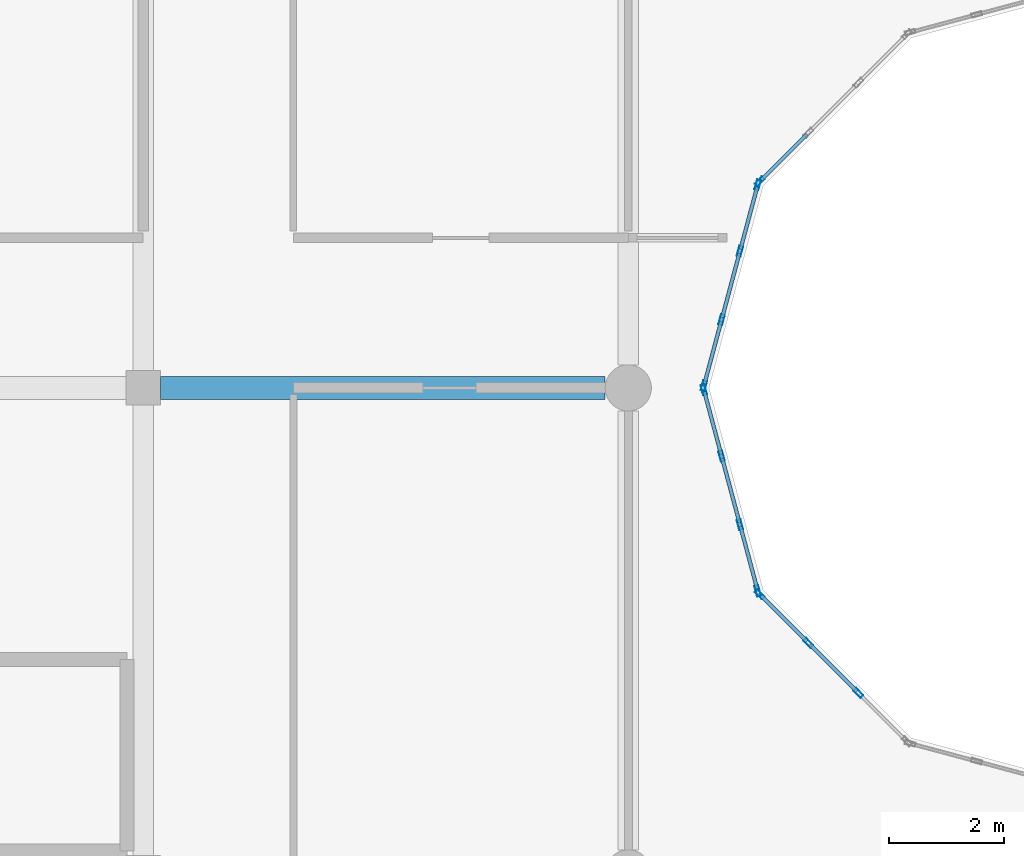
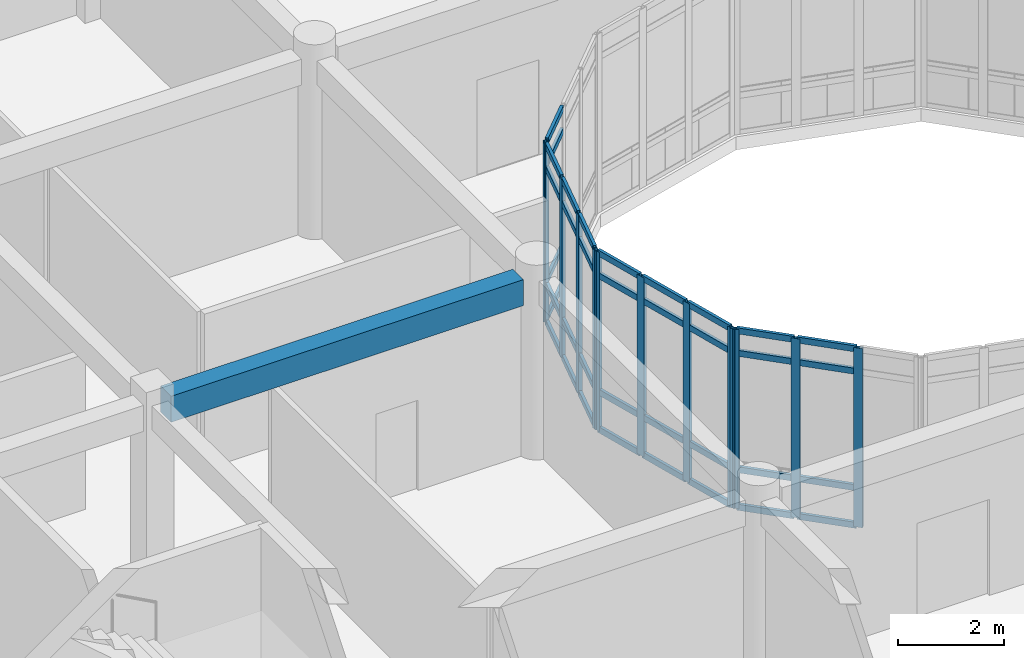
# One storey, part 44 of 144: 48 members, 1 beam, 4 elements without a shape of their own.
"""IFC4 building model written with IfcOpenShell, lengths in metres."""

from ifc_helpers import new_model, si_unit, direction, frame, origin, origin_2d, place, context, subcontext, project, spatial, rectangle, hollow_rectangle, extrude, material, layer, layer_set, material_profile, profile_set, type_object, element, aggregate, save


model = new_model("IFC4")

# Units and contexts
model_context = context("Model", 3, precision=1e-05, world=origin(), true_north=direction((0.0, 1.0)))
body_context = subcontext(model_context, "Body", "Model", "MODEL_VIEW")
ifc_project = project(units=[si_unit("LENGTHUNIT", "METRE"), si_unit("AREAUNIT", "SQUARE_METRE"), si_unit("VOLUMEUNIT", "CUBIC_METRE"), si_unit("PLANEANGLEUNIT", "RADIAN"), si_unit("MASSUNIT", "GRAM", prefix="KILO")], contexts=[model_context])

# Site, building, storey
site_placement = place(None, origin())
site = spatial("IfcSite", under=ifc_project, at=site_placement, CompositionType="ELEMENT")
building_placement = place(site_placement, origin())
building = spatial("IfcBuilding", under=site, at=building_placement, Name="Bramfleet General Hospital", CompositionType="ELEMENT")
storey_placement = place(building_placement, frame((0.0, 0.0, 4.800048828125)))
storey = spatial("IfcBuildingStorey", under=building, at=storey_placement, Name="L01", CompositionType="ELEMENT", Elevation=4.800048828125)

# Beam
ifc_material_1 = material(Name="Concrete C35/45", Category="concrete")
ifc_material_profile_1 = material_profile(ifc_material_1, rectangle(XDim=0.39990234375, YDim=0.60009765625, at=origin_2d()), Name="RC BM 600x400")
ifc_profile_set_1 = profile_set([ifc_material_profile_1], Name="Concrete C35/45")
beam_type = type_object("IfcBeamType", Name="BM-RC600", PredefinedType="BEAM", material=ifc_profile_set_1)
beam_placement = place(storey_placement, frame((67.5, 75.60009765625, 3.849853515625), z_axis=(1.0, 0.0, 0.0), x_axis=(0.0, 1.0, 0.0)))
element("IfcBeam", 1, at=beam_placement, inside=storey, type_object=beam_type, Name="L01 Grid Beam X 08-09", PredefinedType="BEAM", context=body_context, shape_type="SweptSolid", body=[
    extrude(rectangle(XDim=0.39990234375, YDim=0.60009765625, at=origin_2d()), origin(), (0.0, 0.0, 1.0), 7.699951171875),
])

# Curtain wall, members
ifc_material_2 = material(Name="Anodised aluminium and low-E triple glazing", Category="aluminium")
ifc_layer_1 = layer(ifc_material_2, 0.179931640625, Name="CWT-CW-13")
ifc_layer_set_1 = layer_set([ifc_layer_1], Name="Anodised aluminium and low-E triple glazing")
curtain_wall_type_1 = type_object("IfcCurtainWallType", Name="CWT-CW-13", PredefinedType="USERDEFINED", material=ifc_layer_set_1)
curtain_wall_1_placement = place(storey_placement, origin())
curtain_wall_1 = element("IfcCurtainWall", 2, at=curtain_wall_1_placement, inside=storey, type_object=curtain_wall_type_1, Name="L01 Central Diagnostic Light Court Curtain Wall 1.1", ObjectType="Stick curtain wall", PredefinedType="USERDEFINED")
ifc_material_3 = material(Name="Anodised aluminium EN AW-6060", Category="aluminium")
ifc_material_profile_2 = material_profile(ifc_material_3, hollow_rectangle(XDim=0.070068359375, YDim=0.179931640625, WallThickness=0.00390625, at=origin_2d()), Name="ALU 180x70x4.0")
ifc_profile_set_2 = profile_set([ifc_material_profile_2], Name="Anodised aluminium EN AW-6060")
member_type_1 = type_object("IfcMemberType", Name="CWM-ALU180", PredefinedType="MULLION", material=ifc_profile_set_2)
member_1_placement = place(storey_placement, frame((76.908935546875, 75.566162109375, 0.0), z_axis=(0.0, 0.0, 1.0), x_axis=(0.965940765005, 0.258763286618, 0.0)))
member_1 = element("IfcMember", 3, at=member_1_placement, type_object=member_type_1, Name="CW-13 mullion 1", PredefinedType="MULLION", context=body_context, shape_type="SweptSolid", body=[
    extrude(hollow_rectangle(XDim=0.070068359375, YDim=0.179931640625, WallThickness=0.00390625, at=origin_2d()), origin(), (0.0, 0.0, 1.0), 4.139892578125),
])
member_2_placement = place(storey_placement, frame((77.217041015625, 74.416748046875, 0.0), z_axis=(0.0, 0.0, 1.0), x_axis=(0.965940765005, 0.258763286618, 0.0)))
member_2 = element("IfcMember", 4, at=member_2_placement, type_object=member_type_1, Name="CW-13 mullion 2", PredefinedType="MULLION", context=body_context, shape_type="SweptSolid", body=[
    extrude(hollow_rectangle(XDim=0.070068359375, YDim=0.179931640625, WallThickness=0.00390625, at=origin_2d()), origin(), (0.0, 0.0, 1.0), 4.139892578125),
])
member_3_placement = place(storey_placement, frame((77.533935546875, 73.2333984375, 0.0), z_axis=(0.0, 0.0, 1.0), x_axis=(0.965940765005, 0.258763286618, 0.0)))
member_3 = element("IfcMember", 5, at=member_3_placement, type_object=member_type_1, Name="CW-13 mullion 3", PredefinedType="MULLION", context=body_context, shape_type="SweptSolid", body=[
    extrude(hollow_rectangle(XDim=0.070068359375, YDim=0.179931640625, WallThickness=0.00390625, at=origin_2d()), origin(), (0.0, 0.0, 1.0), 4.139892578125),
])
member_4_placement = place(storey_placement, frame((77.842041015625, 72.083740234375, 0.0), z_axis=(0.0, 0.0, 1.0), x_axis=(0.965940765005, 0.258763286618, 0.0)))
member_4 = element("IfcMember", 6, at=member_4_placement, type_object=member_type_1, Name="CW-13 mullion 4", PredefinedType="MULLION", context=body_context, shape_type="SweptSolid", body=[
    extrude(hollow_rectangle(XDim=0.070068359375, YDim=0.179931640625, WallThickness=0.00390625, at=origin_2d()), origin(), (0.0, 0.0, 1.0), 4.139892578125),
])

ifc_layer_2 = layer(ifc_material_2, 0.179931640625, Name="CWT-CW-14")
ifc_layer_set_2 = layer_set([ifc_layer_2], Name="Anodised aluminium and low-E triple glazing")
curtain_wall_type_2 = type_object("IfcCurtainWallType", Name="CWT-CW-14", PredefinedType="USERDEFINED", material=ifc_layer_set_2)
curtain_wall_2_placement = place(storey_placement, origin())
curtain_wall_2 = element("IfcCurtainWall", 7, at=curtain_wall_2_placement, inside=storey, type_object=curtain_wall_type_2, Name="L01 Central Diagnostic Light Court Curtain Wall 2.1", ObjectType="Stick curtain wall", PredefinedType="USERDEFINED")
member_5_placement = place(storey_placement, frame((77.875732421875, 72.025146484375, 0.0), z_axis=(0.0, 0.0, 1.0), x_axis=(0.707106781187, 0.707106781187, 0.0)))
member_5 = element("IfcMember", 8, at=member_5_placement, type_object=member_type_1, Name="CW-14 mullion 1", PredefinedType="MULLION", context=body_context, shape_type="SweptSolid", body=[
    extrude(hollow_rectangle(XDim=0.070068359375, YDim=0.179931640625, WallThickness=0.00390625, at=origin_2d()), origin(), (0.0, 0.0, 1.0), 4.139892578125),
])
member_6_placement = place(storey_placement, frame((78.71728515625, 71.18359375, 0.0), z_axis=(0.0, 0.0, 1.0), x_axis=(0.707106781187, 0.707106781187, 0.0)))
member_6 = element("IfcMember", 9, at=member_6_placement, type_object=member_type_1, Name="CW-14 mullion 2", PredefinedType="MULLION", context=body_context, shape_type="SweptSolid", body=[
    extrude(hollow_rectangle(XDim=0.070068359375, YDim=0.179931640625, WallThickness=0.00390625, at=origin_2d()), origin(), (0.0, 0.0, 1.0), 4.139892578125),
])
member_7_placement = place(storey_placement, frame((79.583740234375, 70.3173828125, 0.0), z_axis=(0.0, 0.0, 1.0), x_axis=(0.707106781187, 0.707106781187, 0.0)))
member_7 = element("IfcMember", 10, at=member_7_placement, type_object=member_type_1, Name="CW-14 mullion 3", PredefinedType="MULLION", context=body_context, shape_type="SweptSolid", body=[
    extrude(hollow_rectangle(XDim=0.070068359375, YDim=0.179931640625, WallThickness=0.00390625, at=origin_2d()), origin(), (0.0, 0.0, 1.0), 4.139892578125),
])

# Curtain wall, member
ifc_layer_3 = layer(ifc_material_2, 0.179931640625, Name="CWT-CW-15")
ifc_layer_set_3 = layer_set([ifc_layer_3], Name="Anodised aluminium and low-E triple glazing")
curtain_wall_type_3 = type_object("IfcCurtainWallType", Name="CWT-CW-15", PredefinedType="USERDEFINED", material=ifc_layer_set_3)
curtain_wall_3_placement = place(storey_placement, origin())
curtain_wall_3 = element("IfcCurtainWall", 11, at=curtain_wall_3_placement, inside=storey, type_object=curtain_wall_type_3, Name="L01 Central Diagnostic Light Court Curtain Wall 11.1", ObjectType="Stick curtain wall", PredefinedType="USERDEFINED")
member_8_placement = place(storey_placement, frame((77.875732421875, 79.1748046875, 0.0), z_axis=(0.0, 0.0, 1.0), x_axis=(0.707106781187, -0.707106781187, 0.0)))
member_8 = element("IfcMember", 12, at=member_8_placement, type_object=member_type_1, Name="CW-15 mullion 4", PredefinedType="MULLION", context=body_context, shape_type="SweptSolid", body=[
    extrude(hollow_rectangle(XDim=0.070068359375, YDim=0.179931640625, WallThickness=0.00390625, at=origin_2d()), origin(), (0.0, 0.0, 1.0), 4.139892578125),
])

# Curtain wall, members
ifc_layer_4 = layer(ifc_material_2, 0.179931640625, Name="CWT-CW-16")
ifc_layer_set_4 = layer_set([ifc_layer_4], Name="Anodised aluminium and low-E triple glazing")
curtain_wall_type_4 = type_object("IfcCurtainWallType", Name="CWT-CW-16", PredefinedType="USERDEFINED", material=ifc_layer_set_4)
curtain_wall_4_placement = place(storey_placement, origin())
curtain_wall_4 = element("IfcCurtainWall", 13, at=curtain_wall_4_placement, inside=storey, type_object=curtain_wall_type_4, Name="L01 Central Diagnostic Light Court Curtain Wall 12.1", ObjectType="Stick curtain wall", PredefinedType="USERDEFINED")
member_9_placement = place(storey_placement, frame((77.842041015625, 79.1162109375, 0.0), z_axis=(0.0, 0.0, 1.0), x_axis=(0.965940765005, -0.258763286618, 0.0)))
member_9 = element("IfcMember", 14, at=member_9_placement, type_object=member_type_1, Name="CW-16 mullion 1", PredefinedType="MULLION", context=body_context, shape_type="SweptSolid", body=[
    extrude(hollow_rectangle(XDim=0.070068359375, YDim=0.179931640625, WallThickness=0.00390625, at=origin_2d()), origin(), (0.0, 0.0, 1.0), 4.139892578125),
])
member_10_placement = place(storey_placement, frame((77.533935546875, 77.966552734375, 0.0), z_axis=(0.0, 0.0, 1.0), x_axis=(0.965940765005, -0.258763286618, 0.0)))
member_10 = element("IfcMember", 15, at=member_10_placement, type_object=member_type_1, Name="CW-16 mullion 2", PredefinedType="MULLION", context=body_context, shape_type="SweptSolid", body=[
    extrude(hollow_rectangle(XDim=0.070068359375, YDim=0.179931640625, WallThickness=0.00390625, at=origin_2d()), origin(), (0.0, 0.0, 1.0), 4.139892578125),
])
member_11_placement = place(storey_placement, frame((77.217041015625, 76.783447265625, 0.0), z_axis=(0.0, 0.0, 1.0), x_axis=(0.965940765005, -0.258763286618, 0.0)))
member_11 = element("IfcMember", 16, at=member_11_placement, type_object=member_type_1, Name="CW-16 mullion 3", PredefinedType="MULLION", context=body_context, shape_type="SweptSolid", body=[
    extrude(hollow_rectangle(XDim=0.070068359375, YDim=0.179931640625, WallThickness=0.00390625, at=origin_2d()), origin(), (0.0, 0.0, 1.0), 4.139892578125),
])
member_12_placement = place(storey_placement, frame((76.908935546875, 75.6337890625, 0.0), z_axis=(0.0, 0.0, 1.0), x_axis=(0.965940765005, -0.258763286618, 0.0)))
member_12 = element("IfcMember", 17, at=member_12_placement, type_object=member_type_1, Name="CW-16 mullion 4", PredefinedType="MULLION", context=body_context, shape_type="SweptSolid", body=[
    extrude(hollow_rectangle(XDim=0.070068359375, YDim=0.179931640625, WallThickness=0.00390625, at=origin_2d()), origin(), (0.0, 0.0, 1.0), 4.139892578125),
])

# Member
ifc_material_profile_3 = material_profile(ifc_material_3, hollow_rectangle(XDim=0.06494140625, YDim=0.139892578125, WallThickness=0.00390625, at=origin_2d()), Name="ALU 140x65x4.0")
ifc_profile_set_3 = profile_set([ifc_material_profile_3], Name="Anodised aluminium EN AW-6060")
member_type_2 = type_object("IfcMemberType", Name="CWT-ALU140", PredefinedType="USERDEFINED", material=ifc_profile_set_3)
member_13_placement = place(storey_placement, frame((76.918212890625, 75.532470703125, 0.032470703125), z_axis=(0.25870703371, -0.965955832691, 0.0), x_axis=(0.965955832691, 0.25870703371, 0.0)))
member_13 = element("IfcMember", 18, at=member_13_placement, type_object=member_type_2, Name="CW-13 transom 1.1", ObjectType="TRANSOM", PredefinedType="USERDEFINED", context=body_context, shape_type="SweptSolid", body=[
    extrude(hollow_rectangle(XDim=0.06494140625, YDim=0.139892578125, WallThickness=0.00390625, at=origin_2d()), origin(), (0.0, 0.0, 1.0), 1.1201171875),
])

member_14_placement = place(storey_placement, frame((76.918212890625, 75.532470703125, 0.89990234375), z_axis=(0.25870703371, -0.965955832691, 0.0), x_axis=(0.965955832691, 0.25870703371, 0.0)))
member_14 = element("IfcMember", 19, at=member_14_placement, type_object=member_type_2, Name="CW-13 transom 1.2", ObjectType="TRANSOM", PredefinedType="USERDEFINED", context=body_context, shape_type="SweptSolid", body=[
    extrude(hollow_rectangle(XDim=0.06494140625, YDim=0.139892578125, WallThickness=0.00390625, at=origin_2d()), origin(), (0.0, 0.0, 1.0), 1.1201171875),
])

member_15_placement = place(storey_placement, frame((76.918212890625, 75.532470703125, 3.58984375), z_axis=(0.25870703371, -0.965955832691, 0.0), x_axis=(0.965955832691, 0.25870703371, 0.0)))
member_15 = element("IfcMember", 20, at=member_15_placement, type_object=member_type_2, Name="CW-13 transom 1.3", ObjectType="TRANSOM", PredefinedType="USERDEFINED", context=body_context, shape_type="SweptSolid", body=[
    extrude(hollow_rectangle(XDim=0.06494140625, YDim=0.139892578125, WallThickness=0.00390625, at=origin_2d()), origin(), (0.0, 0.0, 1.0), 1.1201171875),
])

member_16_placement = place(storey_placement, frame((76.918212890625, 75.532470703125, 4.107421875), z_axis=(0.25870703371, -0.965955832691, 0.0), x_axis=(0.965955832691, 0.25870703371, 0.0)))
member_16 = element("IfcMember", 21, at=member_16_placement, type_object=member_type_2, Name="CW-13 transom 1.4", ObjectType="TRANSOM", PredefinedType="USERDEFINED", context=body_context, shape_type="SweptSolid", body=[
    extrude(hollow_rectangle(XDim=0.06494140625, YDim=0.139892578125, WallThickness=0.00390625, at=origin_2d()), origin(), (0.0, 0.0, 1.0), 1.1201171875),
])

member_17_placement = place(storey_placement, frame((77.22607421875, 74.3828125, 0.032470703125), z_axis=(0.258714954608, -0.965953711242, 0.0), x_axis=(0.965953711242, 0.258714954608, 0.0)))
member_17 = element("IfcMember", 22, at=member_17_placement, type_object=member_type_2, Name="CW-13 transom 2.1", ObjectType="TRANSOM", PredefinedType="USERDEFINED", context=body_context, shape_type="SweptSolid", body=[
    extrude(hollow_rectangle(XDim=0.06494140625, YDim=0.139892578125, WallThickness=0.00390625, at=origin_2d()), origin(), (0.0, 0.0, 1.0), 1.155029296875),
])

member_18_placement = place(storey_placement, frame((77.22607421875, 74.3828125, 0.89990234375), z_axis=(0.258714954608, -0.965953711242, 0.0), x_axis=(0.965953711242, 0.258714954608, 0.0)))
member_18 = element("IfcMember", 23, at=member_18_placement, type_object=member_type_2, Name="CW-13 transom 2.2", ObjectType="TRANSOM", PredefinedType="USERDEFINED", context=body_context, shape_type="SweptSolid", body=[
    extrude(hollow_rectangle(XDim=0.06494140625, YDim=0.139892578125, WallThickness=0.00390625, at=origin_2d()), origin(), (0.0, 0.0, 1.0), 1.155029296875),
])

member_19_placement = place(storey_placement, frame((77.22607421875, 74.3828125, 3.58984375), z_axis=(0.258714954608, -0.965953711242, 0.0), x_axis=(0.965953711242, 0.258714954608, 0.0)))
member_19 = element("IfcMember", 24, at=member_19_placement, type_object=member_type_2, Name="CW-13 transom 2.3", ObjectType="TRANSOM", PredefinedType="USERDEFINED", context=body_context, shape_type="SweptSolid", body=[
    extrude(hollow_rectangle(XDim=0.06494140625, YDim=0.139892578125, WallThickness=0.00390625, at=origin_2d()), origin(), (0.0, 0.0, 1.0), 1.155029296875),
])

member_20_placement = place(storey_placement, frame((77.22607421875, 74.3828125, 4.107421875), z_axis=(0.258714954608, -0.965953711242, 0.0), x_axis=(0.965953711242, 0.258714954608, 0.0)))
member_20 = element("IfcMember", 25, at=member_20_placement, type_object=member_type_2, Name="CW-13 transom 2.4", ObjectType="TRANSOM", PredefinedType="USERDEFINED", context=body_context, shape_type="SweptSolid", body=[
    extrude(hollow_rectangle(XDim=0.06494140625, YDim=0.139892578125, WallThickness=0.00390625, at=origin_2d()), origin(), (0.0, 0.0, 1.0), 1.155029296875),
])

member_21_placement = place(storey_placement, frame((77.54296875, 73.199462890625, 0.032470703125), z_axis=(0.258964892978, -0.965886734667, 0.0), x_axis=(0.965886734667, 0.258964892978, 0.0)))
member_21 = element("IfcMember", 26, at=member_21_placement, type_object=member_type_2, Name="CW-13 transom 3.1", ObjectType="TRANSOM", PredefinedType="USERDEFINED", context=body_context, shape_type="SweptSolid", body=[
    extrude(hollow_rectangle(XDim=0.06494140625, YDim=0.139892578125, WallThickness=0.00390625, at=origin_2d()), origin(), (0.0, 0.0, 1.0), 1.119873046875),
])

member_22_placement = place(storey_placement, frame((77.54296875, 73.199462890625, 0.89990234375), z_axis=(0.258964892978, -0.965886734667, 0.0), x_axis=(0.965886734667, 0.258964892978, 0.0)))
member_22 = element("IfcMember", 27, at=member_22_placement, type_object=member_type_2, Name="CW-13 transom 3.2", ObjectType="TRANSOM", PredefinedType="USERDEFINED", context=body_context, shape_type="SweptSolid", body=[
    extrude(hollow_rectangle(XDim=0.06494140625, YDim=0.139892578125, WallThickness=0.00390625, at=origin_2d()), origin(), (0.0, 0.0, 1.0), 1.119873046875),
])

member_23_placement = place(storey_placement, frame((77.54296875, 73.199462890625, 3.58984375), z_axis=(0.258964892978, -0.965886734667, 0.0), x_axis=(0.965886734667, 0.258964892978, 0.0)))
member_23 = element("IfcMember", 28, at=member_23_placement, type_object=member_type_2, Name="CW-13 transom 3.3", ObjectType="TRANSOM", PredefinedType="USERDEFINED", context=body_context, shape_type="SweptSolid", body=[
    extrude(hollow_rectangle(XDim=0.06494140625, YDim=0.139892578125, WallThickness=0.00390625, at=origin_2d()), origin(), (0.0, 0.0, 1.0), 1.119873046875),
])

member_24_placement = place(storey_placement, frame((77.54296875, 73.199462890625, 4.107421875), z_axis=(0.258964892978, -0.965886734667, 0.0), x_axis=(0.965886734667, 0.258964892978, 0.0)))
member_24 = element("IfcMember", 29, at=member_24_placement, type_object=member_type_2, Name="CW-13 transom 3.4", ObjectType="TRANSOM", PredefinedType="USERDEFINED", context=body_context, shape_type="SweptSolid", body=[
    extrude(hollow_rectangle(XDim=0.06494140625, YDim=0.139892578125, WallThickness=0.00390625, at=origin_2d()), origin(), (0.0, 0.0, 1.0), 1.119873046875),
])

aggregate(curtain_wall_1, [member_1, member_2, member_3, member_4, member_13, member_14, member_15, member_16, member_17, member_18, member_19, member_20, member_21, member_22, member_23, member_24])

member_25_placement = place(storey_placement, frame((77.900390625, 72.00048828125, 0.032470703125), z_axis=(0.707215742858, -0.706997802722, 0.0), x_axis=(0.706997802722, 0.707215742858, 0.0)))
member_25 = element("IfcMember", 30, at=member_25_placement, type_object=member_type_2, Name="CW-14 transom 1.1", ObjectType="TRANSOM", PredefinedType="USERDEFINED", context=body_context, shape_type="SweptSolid", body=[
    extrude(hollow_rectangle(XDim=0.06494140625, YDim=0.139892578125, WallThickness=0.00390625, at=origin_2d()), origin(), (0.0, 0.0, 1.0), 1.1201171875),
])

member_26_placement = place(storey_placement, frame((77.900390625, 72.00048828125, 0.89990234375), z_axis=(0.707215742858, -0.706997802722, 0.0), x_axis=(0.706997802722, 0.707215742858, 0.0)))
member_26 = element("IfcMember", 31, at=member_26_placement, type_object=member_type_2, Name="CW-14 transom 1.2", ObjectType="TRANSOM", PredefinedType="USERDEFINED", context=body_context, shape_type="SweptSolid", body=[
    extrude(hollow_rectangle(XDim=0.06494140625, YDim=0.139892578125, WallThickness=0.00390625, at=origin_2d()), origin(), (0.0, 0.0, 1.0), 1.1201171875),
])

member_27_placement = place(storey_placement, frame((77.900390625, 72.00048828125, 3.58984375), z_axis=(0.707215742858, -0.706997802722, 0.0), x_axis=(0.706997802722, 0.707215742858, 0.0)))
member_27 = element("IfcMember", 32, at=member_27_placement, type_object=member_type_2, Name="CW-14 transom 1.3", ObjectType="TRANSOM", PredefinedType="USERDEFINED", context=body_context, shape_type="SweptSolid", body=[
    extrude(hollow_rectangle(XDim=0.06494140625, YDim=0.139892578125, WallThickness=0.00390625, at=origin_2d()), origin(), (0.0, 0.0, 1.0), 1.1201171875),
])

member_28_placement = place(storey_placement, frame((77.900390625, 72.00048828125, 4.107421875), z_axis=(0.707215742858, -0.706997802722, 0.0), x_axis=(0.706997802722, 0.707215742858, 0.0)))
member_28 = element("IfcMember", 33, at=member_28_placement, type_object=member_type_2, Name="CW-14 transom 1.4", ObjectType="TRANSOM", PredefinedType="USERDEFINED", context=body_context, shape_type="SweptSolid", body=[
    extrude(hollow_rectangle(XDim=0.06494140625, YDim=0.139892578125, WallThickness=0.00390625, at=origin_2d()), origin(), (0.0, 0.0, 1.0), 1.1201171875),
])

member_29_placement = place(storey_placement, frame((78.7421875, 71.158935546875, 0.032470703125), z_axis=(0.707001093006, -0.707212453572, 0.0), x_axis=(0.707212453572, 0.707001093006, 0.0)))
member_29 = element("IfcMember", 34, at=member_29_placement, type_object=member_type_2, Name="CW-14 transom 2.1", ObjectType="TRANSOM", PredefinedType="USERDEFINED", context=body_context, shape_type="SweptSolid", body=[
    extrude(hollow_rectangle(XDim=0.06494140625, YDim=0.139892578125, WallThickness=0.00390625, at=origin_2d()), origin(), (0.0, 0.0, 1.0), 1.155029296875),
])

member_30_placement = place(storey_placement, frame((78.7421875, 71.158935546875, 0.89990234375), z_axis=(0.707001093006, -0.707212453572, 0.0), x_axis=(0.707212453572, 0.707001093006, 0.0)))
member_30 = element("IfcMember", 35, at=member_30_placement, type_object=member_type_2, Name="CW-14 transom 2.2", ObjectType="TRANSOM", PredefinedType="USERDEFINED", context=body_context, shape_type="SweptSolid", body=[
    extrude(hollow_rectangle(XDim=0.06494140625, YDim=0.139892578125, WallThickness=0.00390625, at=origin_2d()), origin(), (0.0, 0.0, 1.0), 1.155029296875),
])

member_31_placement = place(storey_placement, frame((78.7421875, 71.158935546875, 3.58984375), z_axis=(0.707001093006, -0.707212453572, 0.0), x_axis=(0.707212453572, 0.707001093006, 0.0)))
member_31 = element("IfcMember", 36, at=member_31_placement, type_object=member_type_2, Name="CW-14 transom 2.3", ObjectType="TRANSOM", PredefinedType="USERDEFINED", context=body_context, shape_type="SweptSolid", body=[
    extrude(hollow_rectangle(XDim=0.06494140625, YDim=0.139892578125, WallThickness=0.00390625, at=origin_2d()), origin(), (0.0, 0.0, 1.0), 1.155029296875),
])

member_32_placement = place(storey_placement, frame((78.7421875, 71.158935546875, 4.107421875), z_axis=(0.707001093006, -0.707212453572, 0.0), x_axis=(0.707212453572, 0.707001093006, 0.0)))
member_32 = element("IfcMember", 37, at=member_32_placement, type_object=member_type_2, Name="CW-14 transom 2.4", ObjectType="TRANSOM", PredefinedType="USERDEFINED", context=body_context, shape_type="SweptSolid", body=[
    extrude(hollow_rectangle(XDim=0.06494140625, YDim=0.139892578125, WallThickness=0.00390625, at=origin_2d()), origin(), (0.0, 0.0, 1.0), 1.155029296875),
])

aggregate(curtain_wall_2, [member_5, member_6, member_7, member_25, member_26, member_27, member_28, member_29, member_30, member_31, member_32])

member_33_placement = place(storey_placement, frame((78.692626953125, 79.99169921875, 0.032470703125), z_axis=(-0.707106781187, -0.707106781187, 0.0), x_axis=(0.707106781187, -0.707106781187, 0.0)))
member_33 = element("IfcMember", 38, at=member_33_placement, type_object=member_type_2, Name="CW-15 transom 3.1", ObjectType="TRANSOM", PredefinedType="USERDEFINED", context=body_context, shape_type="SweptSolid", body=[
    extrude(hollow_rectangle(XDim=0.06494140625, YDim=0.139892578125, WallThickness=0.00390625, at=origin_2d()), origin(), (0.0, 0.0, 1.0), 1.120361328125),
])

member_34_placement = place(storey_placement, frame((78.692626953125, 79.99169921875, 0.89990234375), z_axis=(-0.707106781187, -0.707106781187, 0.0), x_axis=(0.707106781187, -0.707106781187, 0.0)))
member_34 = element("IfcMember", 39, at=member_34_placement, type_object=member_type_2, Name="CW-15 transom 3.2", ObjectType="TRANSOM", PredefinedType="USERDEFINED", context=body_context, shape_type="SweptSolid", body=[
    extrude(hollow_rectangle(XDim=0.06494140625, YDim=0.139892578125, WallThickness=0.00390625, at=origin_2d()), origin(), (0.0, 0.0, 1.0), 1.120361328125),
])

member_35_placement = place(storey_placement, frame((78.692626953125, 79.99169921875, 3.58984375), z_axis=(-0.707106781187, -0.707106781187, 0.0), x_axis=(0.707106781187, -0.707106781187, 0.0)))
member_35 = element("IfcMember", 40, at=member_35_placement, type_object=member_type_2, Name="CW-15 transom 3.3", ObjectType="TRANSOM", PredefinedType="USERDEFINED", context=body_context, shape_type="SweptSolid", body=[
    extrude(hollow_rectangle(XDim=0.06494140625, YDim=0.139892578125, WallThickness=0.00390625, at=origin_2d()), origin(), (0.0, 0.0, 1.0), 1.120361328125),
])

member_36_placement = place(storey_placement, frame((78.692626953125, 79.99169921875, 4.107421875), z_axis=(-0.707106781187, -0.707106781187, 0.0), x_axis=(0.707106781187, -0.707106781187, 0.0)))
member_36 = element("IfcMember", 41, at=member_36_placement, type_object=member_type_2, Name="CW-15 transom 3.4", ObjectType="TRANSOM", PredefinedType="USERDEFINED", context=body_context, shape_type="SweptSolid", body=[
    extrude(hollow_rectangle(XDim=0.06494140625, YDim=0.139892578125, WallThickness=0.00390625, at=origin_2d()), origin(), (0.0, 0.0, 1.0), 1.120361328125),
])

aggregate(curtain_wall_3, [member_8, member_33, member_34, member_35, member_36])

member_37_placement = place(storey_placement, frame((77.8330078125, 79.082275390625, 0.032470703125), z_axis=(-0.258964892978, -0.965886734667, 0.0), x_axis=(0.965886734667, -0.258964892978, 0.0)))
member_37 = element("IfcMember", 42, at=member_37_placement, type_object=member_type_2, Name="CW-16 transom 1.1", ObjectType="TRANSOM", PredefinedType="USERDEFINED", context=body_context, shape_type="SweptSolid", body=[
    extrude(hollow_rectangle(XDim=0.06494140625, YDim=0.139892578125, WallThickness=0.00390625, at=origin_2d()), origin(), (0.0, 0.0, 1.0), 1.119873046875),
])

member_38_placement = place(storey_placement, frame((77.8330078125, 79.082275390625, 0.89990234375), z_axis=(-0.258964892978, -0.965886734667, 0.0), x_axis=(0.965886734667, -0.258964892978, 0.0)))
member_38 = element("IfcMember", 43, at=member_38_placement, type_object=member_type_2, Name="CW-16 transom 1.2", ObjectType="TRANSOM", PredefinedType="USERDEFINED", context=body_context, shape_type="SweptSolid", body=[
    extrude(hollow_rectangle(XDim=0.06494140625, YDim=0.139892578125, WallThickness=0.00390625, at=origin_2d()), origin(), (0.0, 0.0, 1.0), 1.119873046875),
])

member_39_placement = place(storey_placement, frame((77.8330078125, 79.082275390625, 3.58984375), z_axis=(-0.258964892978, -0.965886734667, 0.0), x_axis=(0.965886734667, -0.258964892978, 0.0)))
member_39 = element("IfcMember", 44, at=member_39_placement, type_object=member_type_2, Name="CW-16 transom 1.3", ObjectType="TRANSOM", PredefinedType="USERDEFINED", context=body_context, shape_type="SweptSolid", body=[
    extrude(hollow_rectangle(XDim=0.06494140625, YDim=0.139892578125, WallThickness=0.00390625, at=origin_2d()), origin(), (0.0, 0.0, 1.0), 1.119873046875),
])

member_40_placement = place(storey_placement, frame((77.8330078125, 79.082275390625, 4.107421875), z_axis=(-0.258964892978, -0.965886734667, 0.0), x_axis=(0.965886734667, -0.258964892978, 0.0)))
member_40 = element("IfcMember", 45, at=member_40_placement, type_object=member_type_2, Name="CW-16 transom 1.4", ObjectType="TRANSOM", PredefinedType="USERDEFINED", context=body_context, shape_type="SweptSolid", body=[
    extrude(hollow_rectangle(XDim=0.06494140625, YDim=0.139892578125, WallThickness=0.00390625, at=origin_2d()), origin(), (0.0, 0.0, 1.0), 1.119873046875),
])

member_41_placement = place(storey_placement, frame((77.52490234375, 77.932861328125, 0.032470703125), z_axis=(-0.258714954608, -0.965953711242, 0.0), x_axis=(0.965953711242, -0.258714954608, 0.0)))
member_41 = element("IfcMember", 46, at=member_41_placement, type_object=member_type_2, Name="CW-16 transom 2.1", ObjectType="TRANSOM", PredefinedType="USERDEFINED", context=body_context, shape_type="SweptSolid", body=[
    extrude(hollow_rectangle(XDim=0.06494140625, YDim=0.139892578125, WallThickness=0.00390625, at=origin_2d()), origin(), (0.0, 0.0, 1.0), 1.155029296875),
])

member_42_placement = place(storey_placement, frame((77.52490234375, 77.932861328125, 0.89990234375), z_axis=(-0.258714954608, -0.965953711242, 0.0), x_axis=(0.965953711242, -0.258714954608, 0.0)))
member_42 = element("IfcMember", 47, at=member_42_placement, type_object=member_type_2, Name="CW-16 transom 2.2", ObjectType="TRANSOM", PredefinedType="USERDEFINED", context=body_context, shape_type="SweptSolid", body=[
    extrude(hollow_rectangle(XDim=0.06494140625, YDim=0.139892578125, WallThickness=0.00390625, at=origin_2d()), origin(), (0.0, 0.0, 1.0), 1.155029296875),
])

member_43_placement = place(storey_placement, frame((77.52490234375, 77.932861328125, 3.58984375), z_axis=(-0.258714954608, -0.965953711242, 0.0), x_axis=(0.965953711242, -0.258714954608, 0.0)))
member_43 = element("IfcMember", 48, at=member_43_placement, type_object=member_type_2, Name="CW-16 transom 2.3", ObjectType="TRANSOM", PredefinedType="USERDEFINED", context=body_context, shape_type="SweptSolid", body=[
    extrude(hollow_rectangle(XDim=0.06494140625, YDim=0.139892578125, WallThickness=0.00390625, at=origin_2d()), origin(), (0.0, 0.0, 1.0), 1.155029296875),
])

member_44_placement = place(storey_placement, frame((77.52490234375, 77.932861328125, 4.107421875), z_axis=(-0.258714954608, -0.965953711242, 0.0), x_axis=(0.965953711242, -0.258714954608, 0.0)))
member_44 = element("IfcMember", 49, at=member_44_placement, type_object=member_type_2, Name="CW-16 transom 2.4", ObjectType="TRANSOM", PredefinedType="USERDEFINED", context=body_context, shape_type="SweptSolid", body=[
    extrude(hollow_rectangle(XDim=0.06494140625, YDim=0.139892578125, WallThickness=0.00390625, at=origin_2d()), origin(), (0.0, 0.0, 1.0), 1.155029296875),
])

member_45_placement = place(storey_placement, frame((77.2080078125, 76.74951171875, 0.032470703125), z_axis=(-0.258761510459, -0.965941240814, 0.0), x_axis=(0.965941240814, -0.258761510459, 0.0)))
member_45 = element("IfcMember", 50, at=member_45_placement, type_object=member_type_2, Name="CW-16 transom 3.1", ObjectType="TRANSOM", PredefinedType="USERDEFINED", context=body_context, shape_type="SweptSolid", body=[
    extrude(hollow_rectangle(XDim=0.06494140625, YDim=0.139892578125, WallThickness=0.00390625, at=origin_2d()), origin(), (0.0, 0.0, 1.0), 1.119873046875),
])

member_46_placement = place(storey_placement, frame((77.2080078125, 76.74951171875, 0.89990234375), z_axis=(-0.258761510459, -0.965941240814, 0.0), x_axis=(0.965941240814, -0.258761510459, 0.0)))
member_46 = element("IfcMember", 51, at=member_46_placement, type_object=member_type_2, Name="CW-16 transom 3.2", ObjectType="TRANSOM", PredefinedType="USERDEFINED", context=body_context, shape_type="SweptSolid", body=[
    extrude(hollow_rectangle(XDim=0.06494140625, YDim=0.139892578125, WallThickness=0.00390625, at=origin_2d()), origin(), (0.0, 0.0, 1.0), 1.119873046875),
])

member_47_placement = place(storey_placement, frame((77.2080078125, 76.74951171875, 3.58984375), z_axis=(-0.258761510459, -0.965941240814, 0.0), x_axis=(0.965941240814, -0.258761510459, 0.0)))
member_47 = element("IfcMember", 52, at=member_47_placement, type_object=member_type_2, Name="CW-16 transom 3.3", ObjectType="TRANSOM", PredefinedType="USERDEFINED", context=body_context, shape_type="SweptSolid", body=[
    extrude(hollow_rectangle(XDim=0.06494140625, YDim=0.139892578125, WallThickness=0.00390625, at=origin_2d()), origin(), (0.0, 0.0, 1.0), 1.119873046875),
])

member_48_placement = place(storey_placement, frame((77.2080078125, 76.74951171875, 4.107421875), z_axis=(-0.258761510459, -0.965941240814, 0.0), x_axis=(0.965941240814, -0.258761510459, 0.0)))
member_48 = element("IfcMember", 53, at=member_48_placement, type_object=member_type_2, Name="CW-16 transom 3.4", ObjectType="TRANSOM", PredefinedType="USERDEFINED", context=body_context, shape_type="SweptSolid", body=[
    extrude(hollow_rectangle(XDim=0.06494140625, YDim=0.139892578125, WallThickness=0.00390625, at=origin_2d()), origin(), (0.0, 0.0, 1.0), 1.119873046875),
])

aggregate(curtain_wall_4, [member_9, member_10, member_11, member_12, member_37, member_38, member_39, member_40, member_41, member_42, member_43, member_44, member_45, member_46, member_47, member_48])

save(model, "model.ifc")
